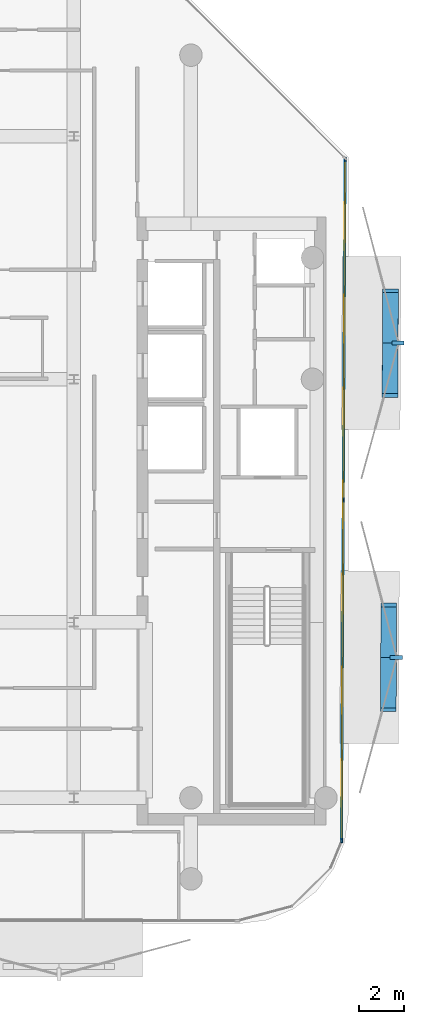
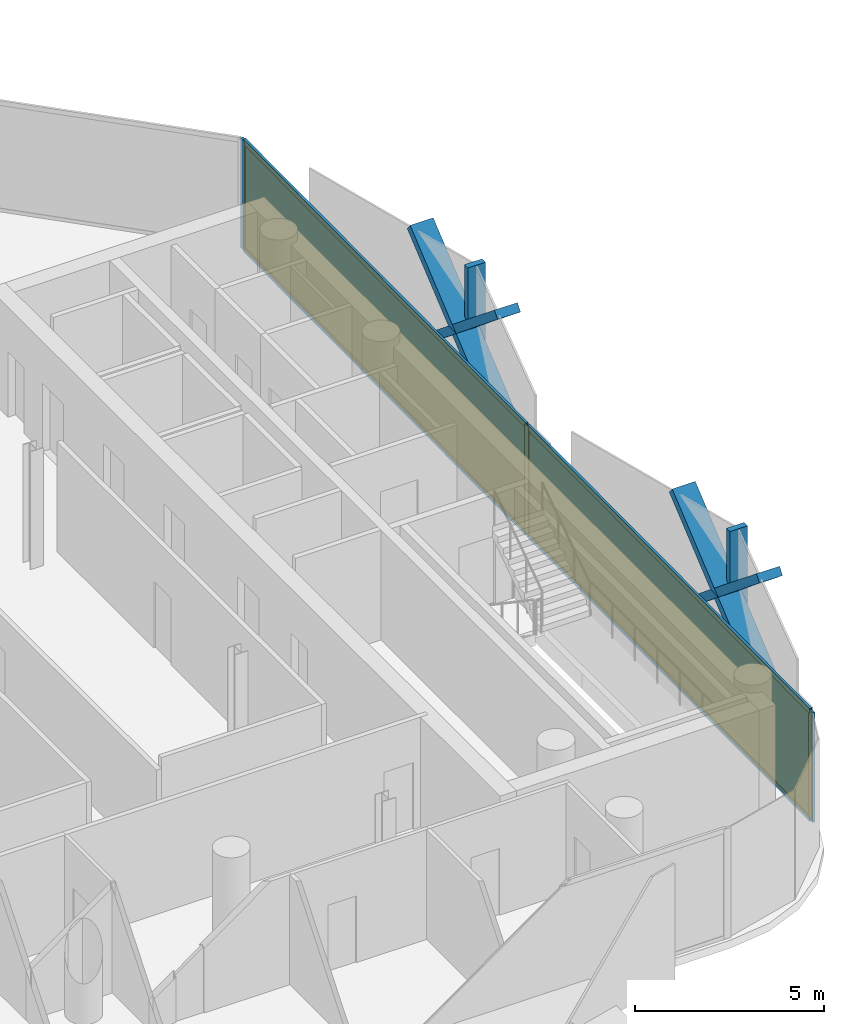
# One storey, part 11 of 17: 13 members, 2 plates, 1 curtain wall.
"""IFC4 building model written with IfcOpenShell, lengths in metres."""

from ifc_helpers import new_model, si_unit, direction, frame, frame_2d, origin, origin_2d, place, context, subcontext, project, spatial, rectangle, extrude, material, layer, layer_set, material_profile, profile_set, type_object, element, aggregate, save


model = new_model("IFC4")

# Units and contexts
model_context = context("Model", 3, precision=1e-05, world=origin(), true_north=direction((0.0, 1.0)))
body_context = subcontext(model_context, "Body", "Model", "MODEL_VIEW")
ifc_project = project(units=[si_unit("LENGTHUNIT", "METRE"), si_unit("AREAUNIT", "SQUARE_METRE"), si_unit("VOLUMEUNIT", "CUBIC_METRE"), si_unit("PLANEANGLEUNIT", "RADIAN"), si_unit("MASSUNIT", "GRAM", prefix="KILO")], contexts=[model_context])

# Member
ifc_material_1 = material(Name="Anodised Bronze Aluminium 6063-T6", Category="aluminium")
ifc_material_profile_1 = material_profile(ifc_material_1, rectangle(XDim=0.260009765625, YDim=0.699951171875, at=origin_2d()))
ifc_profile_set_1 = profile_set([ifc_material_profile_1], Name="Anodised Bronze Aluminium 6063-T6")
member_type_1 = type_object("IfcMemberType", Name="Bronze Diamond Solar-Screen Lattice Rib BDL-700", PredefinedType="MULLION", material=ifc_profile_set_1)
site_placement = place(None, origin())
building_placement = place(site_placement, origin())
storey_placement = place(building_placement, frame((0.0, 0.0, 304.199951171875)))
member_1_placement = place(storey_placement, frame((23.268310546875, 3.935302734375, -0.1298828125), z_axis=(-0.004143786827, -0.774685009779, 0.632333744675), x_axis=(-0.008792669505, -0.632286503253, -0.774684753153)))
member_1 = element("IfcMember", 1, at=member_1_placement, type_object=member_type_1, Name="L73 Bronze Diamond Solar Screen Lattice Rib 516A", PredefinedType="MULLION", context=body_context, shape_type="SweptSolid", body=[
    extrude(rectangle(XDim=0.260009765625, YDim=0.699951171875, at=origin_2d()), origin(), (0.0, 0.0, 1.0), 6.009521484375),
])

member_2_placement = place(storey_placement, frame((23.243408203125, -0.72021484375, -0.1298828125), z_axis=(0.004143786827, 0.774685009779, 0.632333744675), x_axis=(0.008792669505, 0.632286503253, -0.774684753153)))
member_2 = element("IfcMember", 2, at=member_2_placement, type_object=member_type_1, Name="L73 Bronze Diamond Solar Screen Lattice Rib 516B", PredefinedType="MULLION", context=body_context, shape_type="SweptSolid", body=[
    extrude(rectangle(XDim=0.260009765625, YDim=0.699951171875, at=origin_2d()), origin(), (0.0, 0.0, 1.0), 6.009521484375),
])

member_3_placement = place(storey_placement, frame((23.193115234375, -10.031494140625, -0.1298828125), z_axis=(-0.004143786827, -0.774685009779, 0.632333744675), x_axis=(-0.008792669505, -0.632286503253, -0.774684753153)))
member_3 = element("IfcMember", 3, at=member_3_placement, type_object=member_type_1, Name="L73 Bronze Diamond Solar Screen Lattice Rib 517A", PredefinedType="MULLION", context=body_context, shape_type="SweptSolid", body=[
    extrude(rectangle(XDim=0.260009765625, YDim=0.699951171875, at=origin_2d()), origin(), (0.0, 0.0, 1.0), 6.009521484375),
])

member_4_placement = place(storey_placement, frame((23.168212890625, -14.68701171875, -0.1298828125), z_axis=(0.004143786827, 0.774685009779, 0.632333744675), x_axis=(0.008792669505, 0.632286503253, -0.774684753153)))
member_4 = element("IfcMember", 4, at=member_4_placement, type_object=member_type_1, Name="L73 Bronze Diamond Solar Screen Lattice Rib 517B", PredefinedType="MULLION", context=body_context, shape_type="SweptSolid", body=[
    extrude(rectangle(XDim=0.260009765625, YDim=0.699951171875, at=origin_2d()), origin(), (0.0, 0.0, 1.0), 6.009521484375),
])

ifc_material_2 = material(Name="Anodised Bronze Aluminium 6063-T6", Category="aluminium")
ifc_material_profile_2 = material_profile(ifc_material_2, rectangle(XDim=0.179931640625, YDim=0.5400390625, at=origin_2d()))
ifc_profile_set_2 = profile_set([ifc_material_profile_2], Name="Anodised Bronze Aluminium 6063-T6")
member_type_2 = type_object("IfcMemberType", Name="Bronze Solar-Screen Vertical Fold Fin BSF-540", PredefinedType="MULLION", material=ifc_profile_set_2)
member_5_placement = place(storey_placement, frame((23.595947265625, 1.605712890625, -0.1298828125), z_axis=(0.0, 0.0, 1.0), x_axis=(-0.005410494284, -0.999985363169, 0.0)))
member_5 = element("IfcMember", 5, at=member_5_placement, type_object=member_type_2, Name="L73 Bronze Solar Screen Vertical Fin 516", PredefinedType="MULLION", context=body_context, shape_type="SweptSolid", body=[
    extrude(rectangle(XDim=0.179931640625, YDim=0.5400390625, at=origin_2d()), origin(), (0.0, 0.0, 1.0), 3.800048828125),
])

member_6_placement = place(storey_placement, frame((23.5205078125, -12.361083984375, -0.1298828125), z_axis=(0.0, 0.0, 1.0), x_axis=(-0.005410494284, -0.999985363169, 0.0)))
member_6 = element("IfcMember", 6, at=member_6_placement, type_object=member_type_2, Name="L73 Bronze Solar Screen Vertical Fin 517", PredefinedType="MULLION", context=body_context, shape_type="SweptSolid", body=[
    extrude(rectangle(XDim=0.179931640625, YDim=0.5400390625, at=origin_2d()), origin(), (0.0, 0.0, 1.0), 3.800048828125),
])

ifc_material_3 = material(Name="Anodised Bronze Aluminium 6063-T6", Category="aluminium")
ifc_material_profile_3 = material_profile(ifc_material_3, rectangle(XDim=0.074951171875, YDim=0.2099609375, at=origin_2d()))
ifc_profile_set_3 = profile_set([ifc_material_profile_3], Name="Anodised Bronze Aluminium 6063-T6")
member_type_3 = type_object("IfcMemberType", Name="CW-CRN Mullion 75x210", PredefinedType="MULLION", material=ifc_profile_set_3)
member_7_placement = place(storey_placement, frame((21.259765625, 9.764404296875, 0.0), z_axis=(0.0, 0.0, 1.0), x_axis=(0.999985491788, -0.005386669926, 0.0)))
member_7 = element("IfcMember", 7, at=member_7_placement, type_object=member_type_3, Name="CW-CRN mullion 1", PredefinedType="MULLION", context=body_context, shape_type="SweptSolid", body=[
    extrude(rectangle(XDim=0.074951171875, YDim=0.2099609375, at=origin_2d()), origin(), (0.0, 0.0, 1.0), 3.5400390625),
])

member_8_placement = place(storey_placement, frame((21.17822265625, -5.36474609375, 0.0), z_axis=(0.0, 0.0, 1.0), x_axis=(0.999985491788, -0.005386669926, 0.0)))
member_8 = element("IfcMember", 8, at=member_8_placement, type_object=member_type_3, Name="CW-CRN mullion 2", PredefinedType="MULLION", context=body_context, shape_type="SweptSolid", body=[
    extrude(rectangle(XDim=0.074951171875, YDim=0.2099609375, at=origin_2d()), origin(), (0.0, 0.0, 1.0), 3.5400390625),
])

member_9_placement = place(storey_placement, frame((21.096923828125, -20.494140625, 0.0), z_axis=(0.0, 0.0, 1.0), x_axis=(0.999985491788, -0.005386669926, 0.0)))
member_9 = element("IfcMember", 9, at=member_9_placement, type_object=member_type_3, Name="CW-CRN mullion 3", PredefinedType="MULLION", context=body_context, shape_type="SweptSolid", body=[
    extrude(rectangle(XDim=0.074951171875, YDim=0.2099609375, at=origin_2d()), origin(), (0.0, 0.0, 1.0), 3.5400390625),
])

ifc_material_4 = material(Name="Anodised Bronze Aluminium 6063-T6", Category="aluminium")
ifc_material_profile_4 = material_profile(ifc_material_4, rectangle(XDim=0.074951171875, YDim=0.1650390625, at=origin_2d()))
ifc_profile_set_4 = profile_set([ifc_material_profile_4], Name="Anodised Bronze Aluminium 6063-T6")
member_type_4 = type_object("IfcMemberType", Name="CW-CRN Transom 75x165", PredefinedType="USERDEFINED", material=ifc_profile_set_4)
member_10_placement = place(storey_placement, frame((21.259521484375, 9.72705078125, 0.03759765625), z_axis=(-0.005384025883, -0.999985506028, 0.0), x_axis=(0.999985506028, -0.005384025883, 0.0)))
member_10 = element("IfcMember", 10, at=member_10_placement, type_object=member_type_4, Name="CW-CRN transom 1.1", ObjectType="TRANSOM", PredefinedType="USERDEFINED", context=body_context, shape_type="SweptSolid", body=[
    extrude(rectangle(XDim=0.074951171875, YDim=0.1650390625, at=origin_2d()), origin(), (0.0, 0.0, 1.0), 15.0546875),
])

member_11_placement = place(storey_placement, frame((21.259521484375, 9.72705078125, 3.50244140625), z_axis=(-0.005384025883, -0.999985506028, 0.0), x_axis=(0.999985506028, -0.005384025883, 0.0)))
member_11 = element("IfcMember", 11, at=member_11_placement, type_object=member_type_4, Name="CW-CRN transom 1.2", ObjectType="TRANSOM", PredefinedType="USERDEFINED", context=body_context, shape_type="SweptSolid", body=[
    extrude(rectangle(XDim=0.074951171875, YDim=0.1650390625, at=origin_2d()), origin(), (0.0, 0.0, 1.0), 15.0546875),
])

member_12_placement = place(storey_placement, frame((21.177978515625, -5.40234375, 0.03759765625), z_axis=(-0.005384025883, -0.999985506028, 0.0), x_axis=(0.999985506028, -0.005384025883, 0.0)))
member_12 = element("IfcMember", 12, at=member_12_placement, type_object=member_type_4, Name="CW-CRN transom 2.1", ObjectType="TRANSOM", PredefinedType="USERDEFINED", context=body_context, shape_type="SweptSolid", body=[
    extrude(rectangle(XDim=0.074951171875, YDim=0.1650390625, at=origin_2d()), origin(), (0.0, 0.0, 1.0), 15.0546875),
])

member_13_placement = place(storey_placement, frame((21.177978515625, -5.40234375, 3.50244140625), z_axis=(-0.005384025883, -0.999985506028, 0.0), x_axis=(0.999985506028, -0.005384025883, 0.0)))
member_13 = element("IfcMember", 13, at=member_13_placement, type_object=member_type_4, Name="CW-CRN transom 2.2", ObjectType="TRANSOM", PredefinedType="USERDEFINED", context=body_context, shape_type="SweptSolid", body=[
    extrude(rectangle(XDim=0.074951171875, YDim=0.1650390625, at=origin_2d()), origin(), (0.0, 0.0, 1.0), 15.0546875),
])

# Plate
ifc_material_5 = material(Name="Low-E Solar Control Laminated Glass", Category="glass")
ifc_layer_1 = layer(ifc_material_5, 0.035888671875, Name="Low-E Solar Control Laminated Glass")
ifc_layer_set_1 = layer_set([ifc_layer_1], Name="Low-E Solar Control Laminated Glass")
plate_type = type_object("IfcPlateType", Name="CW-CRN Low-E Double Glazed Panel 36mm", PredefinedType="CURTAIN_PANEL", material=ifc_layer_set_1)
plate_1_placement = place(storey_placement, frame((21.218994140625, 2.19970703125, 0.0751953125), z_axis=(0.0, 0.0, 1.0), x_axis=(-0.005386669926, -0.999985491788, 0.0)))
plate_1 = element("IfcPlate", 14, at=plate_1_placement, type_object=plate_type, Name="CW-CRN panel 1.1", PredefinedType="CURTAIN_PANEL", context=body_context, shape_type="SweptSolid", body=[
    extrude(rectangle(XDim=15.0546875, YDim=0.035888671875, at=origin_2d()), origin(), (0.0, 0.0, 1.0), 3.389892578125),
])

plate_2_placement = place(storey_placement, frame((21.137451171875, -12.929443359375, 0.0751953125), z_axis=(0.0, 0.0, 1.0), x_axis=(-0.005386669926, -0.999985491788, 0.0)))
plate_2 = element("IfcPlate", 15, at=plate_2_placement, type_object=plate_type, Name="CW-CRN panel 2.1", PredefinedType="CURTAIN_PANEL", context=body_context, shape_type="SweptSolid", body=[
    extrude(rectangle(XDim=15.0546875, YDim=0.035888671875, at=origin_2d()), origin(), (0.0, 0.0, 1.0), 3.389892578125),
])

# Site, building, storey
site = spatial("IfcSite", under=ifc_project, at=site_placement, CompositionType="ELEMENT")
building = spatial("IfcBuilding", under=site, at=building_placement, Name="Khairoan Windgate Tower", CompositionType="ELEMENT")
storey = spatial("IfcBuildingStorey", under=building, at=storey_placement, Name="L73", CompositionType="ELEMENT", Elevation=304.199951171875)

# Curtain wall
ifc_material_6 = material(Name="Anodised Bronze Aluminium 6063-T6", Category="aluminium")
ifc_layer_2 = layer(ifc_material_6, 0.2099609375, Name="Anodised Bronze Aluminium 6063-T6")
ifc_layer_set_2 = layer_set([ifc_layer_2], Name="Anodised Bronze Aluminium 6063-T6")
curtain_wall_type = type_object("IfcCurtainWallType", Name="Crown Observation and Vitrine Curtain Wall CW-CRN", PredefinedType="NOTDEFINED", material=ifc_layer_set_2)
curtain_wall_placement = place(storey_placement, frame((21.260009765625, 9.802001953125, 0.0), z_axis=(0.0, 0.0, 1.0), x_axis=(-0.00538435779, -0.999985504241, 0.0)))
curtain_wall = element("IfcCurtainWall", 16, at=curtain_wall_placement, inside=storey, type_object=curtain_wall_type, Name="L73 Unitised Curtain Wall 9", PredefinedType="NOTDEFINED", context=body_context, shape_type="SweptSolid", body=[
    extrude(rectangle(XDim=30.334228515625, YDim=0.010009765625, at=frame_2d((15.1669921875, 0.0))), origin(), (0.0, 0.0, 1.0), 3.5400390625),
])

aggregate(curtain_wall, [member_7, member_8, member_9, member_10, member_11, plate_1, member_12, member_13, plate_2, member_1, member_2, member_5, member_3, member_4, member_6])

save(model, "model.ifc")
